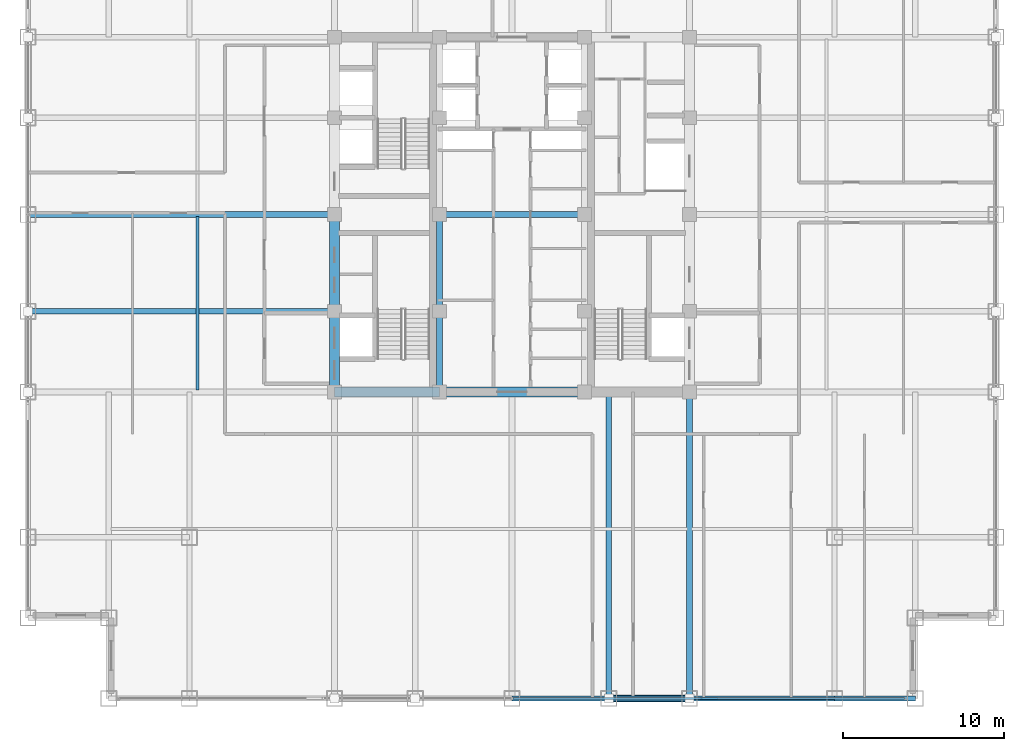
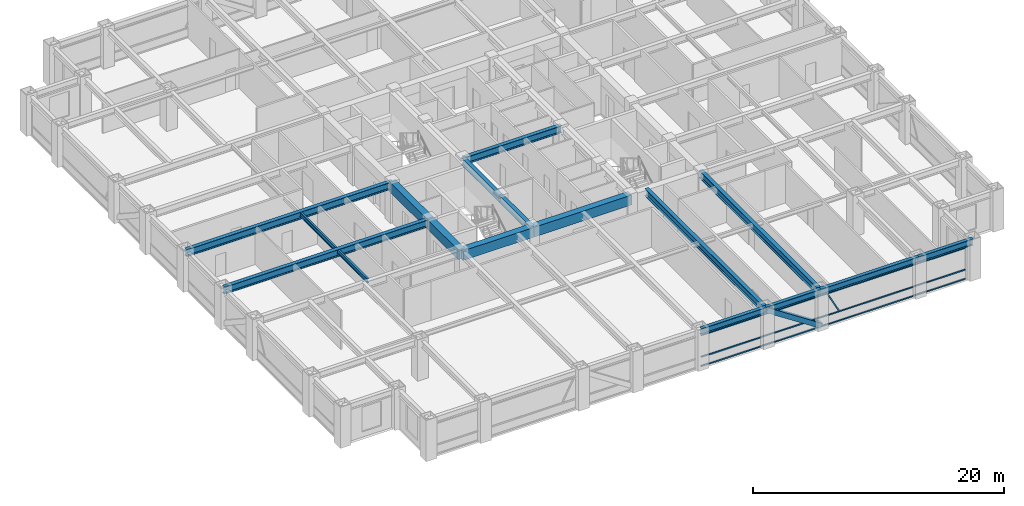
# One storey, part 7 of 25: 16 beams, 5 members, 1 element without a shape of its own.
"""IFC4 building model written with IfcOpenShell, lengths in metres."""

import ifcopenshell
import ifcopenshell.guid

model = None  # the IFC model being written
_history = None  # IfcOwnerHistory: only IFC2X3 demands one
_inside = {}  # id of a spatial element -> (the spatial element, [elements in it])
_under = {}  # id of a project, library or spatial element -> (it, [spatial elements below it])
_declared = {}  # id of a project -> (the project, [libraries it declares])
_typed = {}  # id of a type object -> (the type object, [elements of that type])
_made_of = {}  # id of a material, layer set ... -> (it, [elements and type objects made of it])


def new_model(schema):
    """Start an empty IFC model of exactly this schema.

    Asked for "IFC4X3", IfcOpenShell would pick the latest addendum, in which some entities
    have other attributes; the version numbers below select the first issue.
    IFC2X3 requires an IfcOwnerHistory on every rooted entity: one is made here for all.
    """
    global model, _history
    if schema == "IFC4X3":
        model = ifcopenshell.file(schema_version=(4, 3, 0, 0))
    else:
        model = ifcopenshell.file(schema=schema)
    _inside.clear()
    _under.clear()
    _declared.clear()
    _typed.clear()
    _made_of.clear()
    _history = None
    if model.schema == "IFC2X3":
        org = make("IfcOrganization", Name="unknown")
        user = make(
            "IfcPersonAndOrganization",
            ThePerson=make("IfcPerson", FamilyName="unknown"),
            TheOrganization=org,
        )
        app = make(
            "IfcApplication",
            ApplicationDeveloper=org,
            Version="unknown",
            ApplicationFullName="unknown",
            ApplicationIdentifier="unknown",
        )
        _history = make(
            "IfcOwnerHistory",
            OwningUser=user,
            OwningApplication=app,
            ChangeAction="ADDED",
            CreationDate=0,
        )
    return model


def make(cls, **values):
    """One entity of the class cls with the attributes given. An attribute that is None is left unset."""
    return model.create_entity(
        cls, **{name: value for name, value in values.items() if value is not None}
    )


def rooted(cls, **values):
    """An entity with a GlobalId (a new one), such as an element, a storey or a relation."""
    return make(cls, GlobalId=ifcopenshell.guid.new(), OwnerHistory=_history, **values)


def si_unit(unit_type, name, prefix=None):
    """IfcSIUnit, for example si_unit("LENGTHUNIT", "METRE", prefix="MILLI")."""
    return make("IfcSIUnit", UnitType=unit_type, Prefix=prefix, Name=name)


def assignment(units):
    """IfcUnitAssignment: the units of a project."""
    return None if units is None else make("IfcUnitAssignment", Units=units)


def point(xyz):
    """IfcCartesianPoint."""
    return None if xyz is None else make("IfcCartesianPoint", Coordinates=xyz)


def direction(xyz):
    """IfcDirection."""
    return None if xyz is None else make("IfcDirection", DirectionRatios=xyz)


def frame(location, z_axis=None, x_axis=None):
    """IfcAxis2Placement3D, a coordinate frame: its origin and axes. An axis left out is left unset."""
    return make(
        "IfcAxis2Placement3D",
        Location=point(location),
        Axis=direction(z_axis),
        RefDirection=direction(x_axis),
    )


def frame_2d(location, x_axis=None):
    """IfcAxis2Placement2D, a coordinate frame in the plane: its origin and x axis."""
    return make(
        "IfcAxis2Placement2D", Location=point(location), RefDirection=direction(x_axis)
    )


def origin():
    """The frame at (0, 0, 0) with its axes left unset."""
    return frame((0.0, 0.0, 0.0))


def origin_2d():
    """The frame at (0, 0) in the plane with its x axis left unset."""
    return frame_2d((0.0, 0.0))


def place(relative_to, where):
    """IfcLocalPlacement: puts the frame where relative to a parent placement (None: the world)."""
    return make(
        "IfcLocalPlacement", PlacementRelTo=relative_to, RelativePlacement=where
    )


def context(
    kind, dimensions, precision=None, world=None, true_north=None, identifier=None
):
    """IfcGeometricRepresentationContext, for example the 3D "Model" context."""
    return make(
        "IfcGeometricRepresentationContext",
        ContextIdentifier=identifier,
        ContextType=kind,
        CoordinateSpaceDimension=dimensions,
        Precision=precision,
        WorldCoordinateSystem=world,
        TrueNorth=true_north,
    )


def subcontext(parent, identifier, kind, view, scale=None):
    """IfcGeometricRepresentationSubContext, for example "Body" below "Model"."""
    return make(
        "IfcGeometricRepresentationSubContext",
        ContextIdentifier=identifier,
        ContextType=kind,
        ParentContext=parent,
        TargetScale=scale,
        TargetView=view,
    )


def project(units=None, contexts=None):
    """IfcProject with its units and contexts."""
    return rooted(
        "IfcProject",
        Name="project",
        RepresentationContexts=contexts,
        UnitsInContext=assignment(units),
    )


def spatial(cls, under=None, at=None, **own):
    """A site, building, storey or space (cls), placed at a placement, below another one or the project."""
    s = rooted(cls, ObjectPlacement=at, **own)
    if under is not None:
        _under.setdefault(under.id(), (under, []))[1].append(s)
    return s


def profile(cls, at=None, kind="AREA", **sizes):
    """A parametric profile (cls). Its sizes go by their IFC names, for example OverallWidth=200.0."""
    return make(cls, ProfileType=kind, Position=at, **sizes)


def rectangle(**sizes):
    """IfcRectangleProfileDef."""
    return profile("IfcRectangleProfileDef", **sizes)


def hollow_rectangle(**sizes):
    """IfcRectangleHollowProfileDef."""
    return profile("IfcRectangleHollowProfileDef", **sizes)


def i_section(**sizes):
    """IfcIShapeProfileDef."""
    return profile("IfcIShapeProfileDef", **sizes)


def extrude(swept, where, along, depth):
    """IfcExtrudedAreaSolid: the profile swept, set in the frame where, extruded along a direction by depth."""
    return make(
        "IfcExtrudedAreaSolid",
        SweptArea=swept,
        Position=where,
        ExtrudedDirection=direction(along),
        Depth=depth,
    )


def shape(context_of_items, identifier, shape_type, items):
    """IfcShapeRepresentation: the items that make up one representation, for example the "Body"."""
    return make(
        "IfcShapeRepresentation",
        ContextOfItems=context_of_items,
        RepresentationIdentifier=identifier,
        RepresentationType=shape_type,
        Items=items,
    )


def source(mapping_origin, context_of_items, identifier, shape_type, items):
    """IfcRepresentationMap: a shape defined once, which mapped items show again and again."""
    return make(
        "IfcRepresentationMap",
        MappingOrigin=mapping_origin,
        MappedRepresentation=shape(context_of_items, identifier, shape_type, items),
    )


def transform(
    local_origin,
    x_axis=None,
    y_axis=None,
    z_axis=None,
    scale=None,
    scale2=None,
    scale3=None,
    uniform=True,
):
    """IfcCartesianTransformationOperator3D, or its non-uniform kind. x_axis, y_axis, z_axis: its Axis1, 2, 3."""
    if uniform:
        return make(
            "IfcCartesianTransformationOperator3D",
            Axis1=direction(x_axis),
            Axis2=direction(y_axis),
            LocalOrigin=point(local_origin),
            Scale=scale,
            Axis3=direction(z_axis),
        )
    return make(
        "IfcCartesianTransformationOperator3DnonUniform",
        Axis1=direction(x_axis),
        Axis2=direction(y_axis),
        LocalOrigin=point(local_origin),
        Scale=scale,
        Axis3=direction(z_axis),
        Scale2=scale2,
        Scale3=scale3,
    )


def mapped(mapping_source, mapping_target):
    """IfcMappedItem: shows the shape of a source again, moved by a transform."""
    return make(
        "IfcMappedItem", MappingSource=mapping_source, MappingTarget=mapping_target
    )


def material(Name=None, Category=None):
    """IfcMaterial."""
    return make("IfcMaterial", Name=Name, Category=Category)


def material_profile(
    of_material, cross_section, Name=None, Category=None, Priority=None
):
    """IfcMaterialProfile: a cross section and its material."""
    return make(
        "IfcMaterialProfile",
        Name=Name,
        Material=of_material,
        Profile=cross_section,
        Priority=Priority,
        Category=Category,
    )


def profile_set(profiles, Name=None, composite=None):
    """IfcMaterialProfileSet."""
    return make(
        "IfcMaterialProfileSet",
        Name=Name,
        MaterialProfiles=profiles,
        CompositeProfile=composite,
    )


def made_of(thing, what):
    """Note that an element or type object is made of a material, layer set ...; save() writes the relation."""
    if what is not None:
        _made_of.setdefault(what.id(), (what, []))[1].append(thing)
    return thing


def type_object(cls, material=None, **own):
    """A type object (cls), such as IfcWallType, which elements share."""
    return made_of(rooted(cls, **own), material)


def element(
    cls,
    number,
    at=None,
    inside=None,
    cuts=None,
    type_object=None,
    material=None,
    context=None,
    identifier="Body",
    shape_type=None,
    held_by="IfcProductDefinitionShape",
    body=None,
    shapes=None,
    **own,
):
    """One element of the class cls, such as IfcWall. Its Tag is "e" and its number.

    at: its placement. inside: the storey or other place that contains it. cuts: it is an
    opening in that element (IfcRelVoidsElement). A single representation is given by context,
    identifier, shape_type and body (its items); several are given by shapes. held_by: the class
    of the entity that holds the representations. save() writes the other relations.
    """
    e = rooted(cls, Tag="e%d" % number, ObjectPlacement=at, **own)
    if body is not None:
        shapes = [shape(context, identifier, shape_type, body)]
    if shapes is not None:
        e.Representation = make(held_by, Representations=shapes)
    if inside is not None:
        _inside.setdefault(inside.id(), (inside, []))[1].append(e)
    if cuts is not None:
        rooted(
            "IfcRelVoidsElement", RelatingBuildingElement=cuts, RelatedOpeningElement=e
        )
    if type_object is not None:
        _typed.setdefault(type_object.id(), (type_object, []))[1].append(e)
    return made_of(e, material)


def aggregate(whole, parts):
    """IfcRelAggregates: a whole, such as a stair, and the parts it consists of."""
    return rooted("IfcRelAggregates", RelatingObject=whole, RelatedObjects=parts)


def save(model, path):
    """Write the relations noted so far, then the file.

    IfcRelAggregates (storeys below a building ...), IfcRelContainedInSpatialStructure (elements
    in a storey), IfcRelDefinesByType, IfcRelAssociatesMaterial and IfcRelDeclares: one each for
    every whole, place, type object, material and project.
    """
    for whole, parts in _under.values():
        aggregate(whole, parts)
    for where, things in _inside.values():
        rooted(
            "IfcRelContainedInSpatialStructure",
            RelatedElements=things,
            RelatingStructure=where,
        )
    for kind, things in _typed.values():
        rooted("IfcRelDefinesByType", RelatedObjects=things, RelatingType=kind)
    for what, things in _made_of.values():
        rooted("IfcRelAssociatesMaterial", RelatedObjects=things, RelatingMaterial=what)
    for by, libraries in _declared.values():
        rooted("IfcRelDeclares", RelatingContext=by, RelatedDefinitions=libraries)
    model.write(path)


model = new_model("IFC4")

# Units and contexts
model_context = context("Model", 3, precision=1e-05, world=origin(), true_north=direction((0.0, 1.0)))
body_context = subcontext(model_context, "Body", "Model", "MODEL_VIEW")
ifc_project = project(units=[si_unit("LENGTHUNIT", "METRE"), si_unit("AREAUNIT", "SQUARE_METRE"), si_unit("VOLUMEUNIT", "CUBIC_METRE"), si_unit("PLANEANGLEUNIT", "RADIAN"), si_unit("MASSUNIT", "GRAM", prefix="KILO")], contexts=[model_context])

# Site, building, storey
site_placement = place(None, origin())
site = spatial("IfcSite", under=ifc_project, at=site_placement, CompositionType="ELEMENT")
building_placement = place(site_placement, origin())
building = spatial("IfcBuilding", under=site, at=building_placement, Name="Khorayat Bourse Tower", CompositionType="ELEMENT")
storey_placement = place(building_placement, frame((0.0, 0.0, 227.10009765625)))
storey = spatial("IfcBuildingStorey", under=building, at=storey_placement, Name="L53", CompositionType="ELEMENT", Elevation=227.10009765625)

# Beams
ifc_material_1 = material(Name="Steel ASTM A992 Grade 50", Category="steel")
ifc_material_profile_1 = material_profile(ifc_material_1, i_section(OverallWidth=0.35498046875, OverallDepth=0.695068359375, WebThickness=0.015380859375, FlangeThickness=0.02490234375, FilletRadius=0.01806640625, at=origin_2d()), Name="W690X217")
ifc_profile_set_1 = profile_set([ifc_material_profile_1], Name="Steel ASTM A992 Grade 50")
beam_type_1 = type_object("IfcBeamType", Name="BM-GIRD-690", PredefinedType="BEAM", material=ifc_profile_set_1)
shared_shape_1 = source(origin(), body_context, "Body", "SweptSolid", [
    extrude(i_section(OverallWidth=0.35498046875, OverallDepth=0.695068359375, WebThickness=0.015380859375, FlangeThickness=0.02490234375, FilletRadius=0.01806640625, at=origin_2d()), origin(), (0.0, 0.0, 1.0), 5.0),
])
beam_1_placement = place(storey_placement, frame((-4.5, -11.0, 3.432373046875), z_axis=(0.0, 1.0, 0.0), x_axis=(-1.0, 0.0, 0.0)))
element("IfcBeam", 1, at=beam_1_placement, inside=storey, type_object=beam_type_1, Name="L53 BM-GIRD-690 BM-L53-CRX-05", PredefinedType="BEAM", context=body_context, shape_type="MappedRepresentation", body=[
    mapped(shared_shape_1, transform((0.0, 0.0, 0.0), scale=1.0)),
])
shared_shape_2 = source(origin(), body_context, "Body", "SweptSolid", [
    extrude(i_section(OverallWidth=0.35498046875, OverallDepth=0.695068359375, WebThickness=0.015380859375, FlangeThickness=0.02490234375, FilletRadius=0.01806640625, at=origin_2d()), origin(), (0.0, 0.0, 1.0), 6.0),
])
beam_2_placement = place(storey_placement, frame((-4.5, -6.0, 3.432373046875), z_axis=(0.0, 1.0, 0.0), x_axis=(-1.0, 0.0, 0.0)))
element("IfcBeam", 2, at=beam_2_placement, inside=storey, type_object=beam_type_1, Name="L53 BM-GIRD-690 BM-L53-CRX-06", PredefinedType="BEAM", context=body_context, shape_type="MappedRepresentation", body=[
    mapped(shared_shape_2, transform((0.0, 0.0, 0.0), scale=1.0)),
])
shared_shape_3 = source(origin(), body_context, "Body", "SweptSolid", [
    extrude(i_section(OverallWidth=0.35498046875, OverallDepth=0.695068359375, WebThickness=0.015380859375, FlangeThickness=0.02490234375, FilletRadius=0.01806640625, at=origin_2d()), origin(), (0.0, 0.0, 1.0), 9.0),
])
beam_3_placement = place(storey_placement, frame((-4.5, 0.0, 3.432373046875), z_axis=(1.0, 0.0, 0.0), x_axis=(0.0, 1.0, 0.0)))
element("IfcBeam", 3, at=beam_3_placement, inside=storey, type_object=beam_type_1, Name="L53 BM-GIRD-690 BM-L53-CRY-23", PredefinedType="BEAM", context=body_context, shape_type="MappedRepresentation", body=[
    mapped(shared_shape_3, transform((0.0, 0.0, 0.0), scale=1.0)),
])
ifc_material_profile_2 = material_profile(ifc_material_1, i_section(OverallWidth=0.180908203125, OverallDepth=0.4169921875, WebThickness=0.010986328125, FlangeThickness=0.018310546875, FilletRadius=0.011962890625, at=origin_2d()), Name="W410X85")
ifc_profile_set_2 = profile_set([ifc_material_profile_2], Name="Steel ASTM A992 Grade 50")
beam_type_2 = type_object("IfcBeamType", Name="BM-JOIST-410", PredefinedType="JOIST", material=ifc_profile_set_2)
shared_shape_4 = source(origin(), body_context, "Body", "SweptSolid", [
    extrude(i_section(OverallWidth=0.180908203125, OverallDepth=0.4169921875, WebThickness=0.010986328125, FlangeThickness=0.018310546875, FilletRadius=0.011962890625, at=origin_2d()), origin(), (0.0, 0.0, 1.0), 10.740234375),
])
beam_4_placement = place(storey_placement, frame((-19.5, -10.8701171875, 3.5712890625), z_axis=(0.0, 1.0, 0.0), x_axis=(-1.0, 0.0, 0.0)))
element("IfcBeam", 4, at=beam_4_placement, inside=storey, type_object=beam_type_2, Name="L53 BM-JOIST-410 BM-L53-JSTY-102", PredefinedType="JOIST", context=body_context, shape_type="MappedRepresentation", body=[
    mapped(shared_shape_4, transform((0.0, 0.0, 0.0), scale=1.0)),
])
ifc_material_profile_3 = material_profile(ifc_material_1, i_section(OverallWidth=0.324951171875, OverallDepth=0.615966796875, WebThickness=0.013916015625, FlangeThickness=0.021484375, FilletRadius=0.01611328125, at=origin_2d()), Name="W610X174")
ifc_profile_set_3 = profile_set([ifc_material_profile_3], Name="Steel ASTM A992 Grade 50")
beam_type_3 = type_object("IfcBeamType", Name="BM-SPAN-610", PredefinedType="SPANDREL", material=ifc_profile_set_3)
shared_shape_5 = source(origin(), body_context, "Body", "SweptSolid", [
    extrude(i_section(OverallWidth=0.324951171875, OverallDepth=0.615966796875, WebThickness=0.013916015625, FlangeThickness=0.021484375, FilletRadius=0.01611328125, at=origin_2d()), origin(), (0.0, 0.0, 1.0), 9.0),
])
beam_5_placement = place(storey_placement, frame((11.0, -30.0, 3.471923828125), z_axis=(1.0, 0.0, 0.0), x_axis=(0.0, 1.0, 0.0)))
element("IfcBeam", 5, at=beam_5_placement, inside=storey, type_object=beam_type_3, Name="L53 BM-SPAN-610 BM-L53-SPN-030", PredefinedType="SPANDREL", context=body_context, shape_type="MappedRepresentation", body=[
    mapped(shared_shape_5, transform((0.0, 0.0, 0.0), scale=1.0)),
])
shared_shape_6 = source(origin(), body_context, "Body", "SweptSolid", [
    extrude(i_section(OverallWidth=0.324951171875, OverallDepth=0.615966796875, WebThickness=0.013916015625, FlangeThickness=0.021484375, FilletRadius=0.01611328125, at=origin_2d()), origin(), (0.0, 0.0, 1.0), 5.0),
])
for number, where, z_axis, x_axis, name in (
    (6, (6.0, -30.0, 3.471923828125), (1.0, 0.0, 0.0), (0.0, 1.0, 0.0), "L53 BM-SPAN-610 BM-L53-SPN-029"),
    (7, (20.0, -30.0, 3.471923828125), (1.0, 0.0, 0.0), (0.0, 1.0, 0.0), "L53 BM-SPAN-610 BM-L53-SPN-031"),
):
    element("IfcBeam", number, at=place(storey_placement, frame(where, z_axis=z_axis, x_axis=x_axis)), inside=storey, type_object=beam_type_3, Name=name, PredefinedType="SPANDREL", context=body_context, shape_type="MappedRepresentation", body=[
        mapped(shared_shape_6, transform((0.0, 0.0, 0.0), scale=1.0)),
    ])
shared_shape_7 = source(origin(), body_context, "Body", "SweptSolid", [
    extrude(i_section(OverallWidth=0.324951171875, OverallDepth=0.615966796875, WebThickness=0.013916015625, FlangeThickness=0.021484375, FilletRadius=0.01611328125, at=origin_2d()), origin(), (0.0, 0.0, 1.0), 6.0),
])
beam_6_placement = place(storey_placement, frame((0.0, -30.0, 3.471923828125), z_axis=(1.0, 0.0, 0.0), x_axis=(0.0, 1.0, 0.0)))
element("IfcBeam", 8, at=beam_6_placement, inside=storey, type_object=beam_type_3, Name="L53 BM-SPAN-610 BM-L53-SPN-028", PredefinedType="SPANDREL", context=body_context, shape_type="MappedRepresentation", body=[
    mapped(shared_shape_7, transform((0.0, 0.0, 0.0), scale=1.0)),
])
ifc_material_2 = material(Name="Concrete C60/75", Category="concrete")
ifc_material_profile_4 = material_profile(ifc_material_2, rectangle(XDim=0.60009765625, YDim=0.949951171875, at=origin_2d()), Name="RC 600x950")
ifc_profile_set_4 = profile_set([ifc_material_profile_4], Name="Concrete C60/75")
beam_type_4 = type_object("IfcBeamType", Name="BM-COUP-950", PredefinedType="BEAM", material=ifc_profile_set_4)
shared_shape_8 = source(origin(), body_context, "Body", "SweptSolid", [
    extrude(rectangle(XDim=0.60009765625, YDim=0.949951171875, at=origin_2d()), origin(), (0.0, 0.0, 1.0), 5.0),
])
beam_7_placement = place(storey_placement, frame((-11.0, -11.0, 3.304931640625), z_axis=(0.0, 1.0, 0.0), x_axis=(-1.0, 0.0, 0.0)))
element("IfcBeam", 9, at=beam_7_placement, inside=storey, type_object=beam_type_4, Name="L53 BM-COUP-950 BM-L53-CRX-01", PredefinedType="BEAM", context=body_context, shape_type="MappedRepresentation", body=[
    mapped(shared_shape_8, transform((0.0, 0.0, 0.0), scale=1.0)),
])
shared_shape_9 = source(origin(), body_context, "Body", "SweptSolid", [
    extrude(rectangle(XDim=0.60009765625, YDim=0.949951171875, at=origin_2d()), origin(), (0.0, 0.0, 1.0), 6.0),
])
beam_8_placement = place(storey_placement, frame((-11.0, -6.0, 3.304931640625), z_axis=(0.0, 1.0, 0.0), x_axis=(-1.0, 0.0, 0.0)))
element("IfcBeam", 10, at=beam_8_placement, inside=storey, type_object=beam_type_4, Name="L53 BM-COUP-950 BM-L53-CRX-02", PredefinedType="BEAM", context=body_context, shape_type="MappedRepresentation", body=[
    mapped(shared_shape_9, transform((0.0, 0.0, 0.0), scale=1.0)),
])
shared_shape_10 = source(origin(), body_context, "Body", "SweptSolid", [
    extrude(rectangle(XDim=0.60009765625, YDim=0.949951171875, at=origin_2d()), origin(), (0.0, 0.0, 1.0), 6.5),
])
beam_9_placement = place(storey_placement, frame((-11.0, -11.0, 3.304931640625), z_axis=(1.0, 0.0, 0.0), x_axis=(0.0, 1.0, 0.0)))
element("IfcBeam", 11, at=beam_9_placement, inside=storey, type_object=beam_type_4, Name="L53 BM-COUP-950 BM-L53-CRY-17", PredefinedType="BEAM", context=body_context, shape_type="MappedRepresentation", body=[
    mapped(shared_shape_10, transform((0.0, 0.0, 0.0), scale=1.0)),
])
shared_shape_11 = source(origin(), body_context, "Body", "SweptSolid", [
    extrude(rectangle(XDim=0.60009765625, YDim=0.949951171875, at=origin_2d()), origin(), (0.0, 0.0, 1.0), 9.0),
])
beam_10_placement = place(storey_placement, frame((-4.5, -11.0, 3.304931640625), z_axis=(1.0, 0.0, 0.0), x_axis=(0.0, 1.0, 0.0)))
element("IfcBeam", 12, at=beam_10_placement, inside=storey, type_object=beam_type_4, Name="L53 BM-COUP-950 BM-L53-CRY-18", PredefinedType="BEAM", context=body_context, shape_type="MappedRepresentation", body=[
    mapped(shared_shape_11, transform((0.0, 0.0, 0.0), scale=1.0)),
])
shared_shape_12 = source(origin(), body_context, "Body", "SweptSolid", [
    extrude(i_section(OverallWidth=0.35498046875, OverallDepth=0.695068359375, WebThickness=0.015380859375, FlangeThickness=0.02490234375, FilletRadius=0.01806640625, at=origin_2d()), origin(), (0.0, 0.0, 1.0), 19.0),
])
for number, where, z_axis, x_axis, name in (
    (13, (6.0, -30.0, 3.432373046875), (0.0, 1.0, 0.0), (-1.0, 0.0, 0.0), "L53 BM-GIRD-690 BM-L53-RADY-071"),
    (14, (11.0, -30.0, 3.432373046875), (0.0, 1.0, 0.0), (-1.0, 0.0, 0.0), "L53 BM-GIRD-690 BM-L53-RADY-073"),
    (15, (-30.0, -6.0, 3.432373046875), (1.0, 0.0, 0.0), (0.0, 1.0, 0.0), "L53 BM-GIRD-690 BM-L53-RADX-077"),
    (16, (-30.0, 0.0, 3.432373046875), (1.0, 0.0, 0.0), (0.0, 1.0, 0.0), "L53 BM-GIRD-690 BM-L53-RADX-079"),
):
    element("IfcBeam", number, at=place(storey_placement, frame(where, z_axis=z_axis, x_axis=x_axis)), inside=storey, type_object=beam_type_1, Name=name, PredefinedType="BEAM", context=body_context, shape_type="MappedRepresentation", body=[
        mapped(shared_shape_12, transform((0.0, 0.0, 0.0), scale=1.0)),
    ])

# Member
ifc_material_3 = material(Name="Steel EN 10025-4 S460M", Category="steel")
ifc_material_profile_5 = material_profile(ifc_material_3, hollow_rectangle(XDim=0.449951171875, YDim=0.449951171875, WallThickness=0.02490234375, at=origin_2d()), Name="HSS 450x450x25")
ifc_profile_set_5 = profile_set([ifc_material_profile_5], Name="Steel EN 10025-4 S460M")
member_type_1 = type_object("IfcMemberType", Name="MBR-TUBE-450", PredefinedType="BRACE", material=ifc_profile_set_5)
shared_shape_13 = source(origin(), body_context, "Body", "SweptSolid", [
    extrude(hollow_rectangle(XDim=0.449951171875, YDim=0.449951171875, WallThickness=0.02490234375, at=origin_2d()), origin(), (0.0, 0.0, 1.0), 5.979736328125),
])
member_1_placement = place(storey_placement, frame((6.0, -30.0, 3.52978515625), z_axis=(0.836160261256, 0.0, -0.548485202623), x_axis=(0.0, 1.0, 0.0)))
element("IfcMember", 17, at=member_1_placement, inside=storey, type_object=member_type_1, Name="L53 Perimeter Tube Brace 02", PredefinedType="BRACE", context=body_context, shape_type="MappedRepresentation", body=[
    mapped(shared_shape_13, transform((0.0, 0.0, 0.0), scale=1.0)),
])

# Curtain wall, members
ifc_material_4 = material(Name="Aluminium EN AW-6063 T6", Category="aluminium")
curtain_wall_type = type_object("IfcCurtainWallType", Name="CW-SYS-03", PredefinedType="NOTDEFINED", material=ifc_material_4)
curtain_wall_placement = place(storey_placement, origin())
curtain_wall = element("IfcCurtainWall", 18, at=curtain_wall_placement, inside=storey, type_object=curtain_wall_type, Name="L53 Curtain Wall CW-L53-S1", PredefinedType="NOTDEFINED")
ifc_material_profile_6 = material_profile(ifc_material_4, hollow_rectangle(XDim=0.1201171875, YDim=0.1201171875, WallThickness=0.0048828125, at=origin_2d()), Name="ALU 120x120x5")
ifc_profile_set_6 = profile_set([ifc_material_profile_6], Name="Aluminium EN AW-6063 T6")
member_type_2 = type_object("IfcMemberType", Name="CWM-DIAG-120", PredefinedType="MULLION", material=ifc_profile_set_6)
shared_shape_14 = source(origin(), body_context, "Body", "SweptSolid", [
    extrude(hollow_rectangle(XDim=0.1201171875, YDim=0.1201171875, WallThickness=0.0048828125, at=origin_2d()), origin(), (0.0, 0.0, 1.0), 2.079345703125),
])
member_2_placement = place(storey_placement, frame((12.67919921875, -30.0, 1.08984375), z_axis=(-0.465760949701, 0.0, 0.884910581773), x_axis=(0.0, -1.0, 0.0)))
member_2 = element("IfcMember", 19, at=member_2_placement, type_object=member_type_2, Name="CW-L53-S1 Faceted Diagonal Mullion 2", PredefinedType="MULLION", context=body_context, shape_type="MappedRepresentation", body=[
    mapped(shared_shape_14, transform((0.0, 0.0, 0.0), scale=1.0)),
])
ifc_material_profile_7 = material_profile(ifc_material_4, hollow_rectangle(XDim=0.1201171875, YDim=0.1201171875, WallThickness=0.0048828125, at=origin_2d()), Name="ALU 120x120x5")
ifc_profile_set_7 = profile_set([ifc_material_profile_7], Name="Aluminium EN AW-6063 T6")
member_type_3 = type_object("IfcMemberType", Name="CWT-HORZ-120", PredefinedType="USERDEFINED", material=ifc_profile_set_7)
shared_shape_15 = source(origin(), body_context, "Body", "SweptSolid", [
    extrude(hollow_rectangle(XDim=0.1201171875, YDim=0.1201171875, WallThickness=0.0048828125, at=origin_2d()), origin(), (0.0, 0.0, 1.0), 24.27001953125),
])
member_3_placement = place(storey_placement, frame((0.06005859375, -30.0, 0.059814453125), z_axis=(1.0, 0.0, 0.0), x_axis=(0.0, 1.0, 0.0)))
member_3 = element("IfcMember", 20, at=member_3_placement, type_object=member_type_3, Name="CW-L53-S1 Horizontal Transom 2-1", ObjectType="TRANSOM", PredefinedType="USERDEFINED", context=body_context, shape_type="MappedRepresentation", body=[
    mapped(shared_shape_15, transform((0.0, 0.0, 0.0), scale=1.0)),
])
member_4_placement = place(storey_placement, frame((0.06005859375, -30.0, 0.949951171875), z_axis=(1.0, 0.0, 0.0), x_axis=(0.0, 1.0, 0.0)))
member_4 = element("IfcMember", 21, at=member_4_placement, type_object=member_type_3, Name="CW-L53-S1 Horizontal Transom 2-2", ObjectType="TRANSOM", PredefinedType="USERDEFINED", context=body_context, shape_type="MappedRepresentation", body=[
    mapped(shared_shape_15, transform((0.0, 0.0, 0.0), scale=1.0)),
])
member_5_placement = place(storey_placement, frame((0.06005859375, -30.0, 3.06982421875), z_axis=(1.0, 0.0, 0.0), x_axis=(0.0, 1.0, 0.0)))
member_5 = element("IfcMember", 22, at=member_5_placement, type_object=member_type_3, Name="CW-L53-S1 Horizontal Transom 2-3", ObjectType="TRANSOM", PredefinedType="USERDEFINED", context=body_context, shape_type="MappedRepresentation", body=[
    mapped(shared_shape_15, transform((0.0, 0.0, 0.0), scale=1.0)),
])
aggregate(curtain_wall, [member_3, member_4, member_5, member_2])

save(model, "model.ifc")
